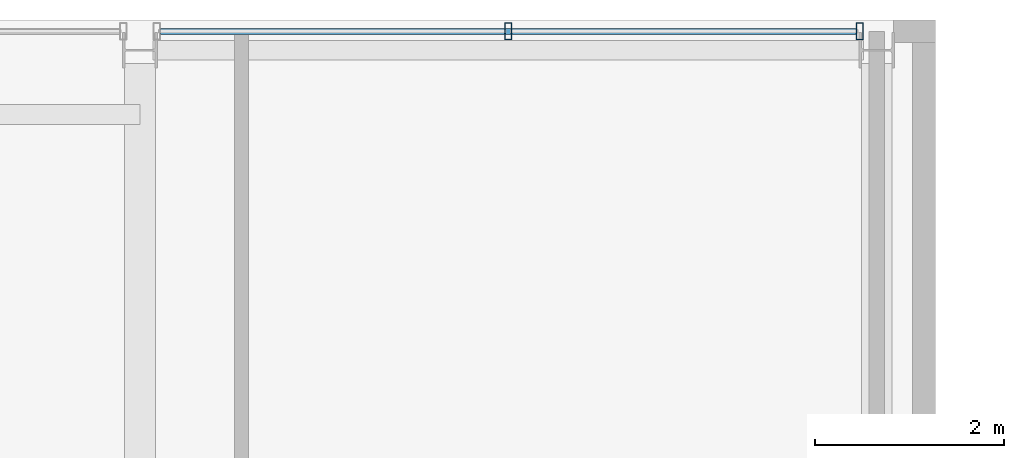
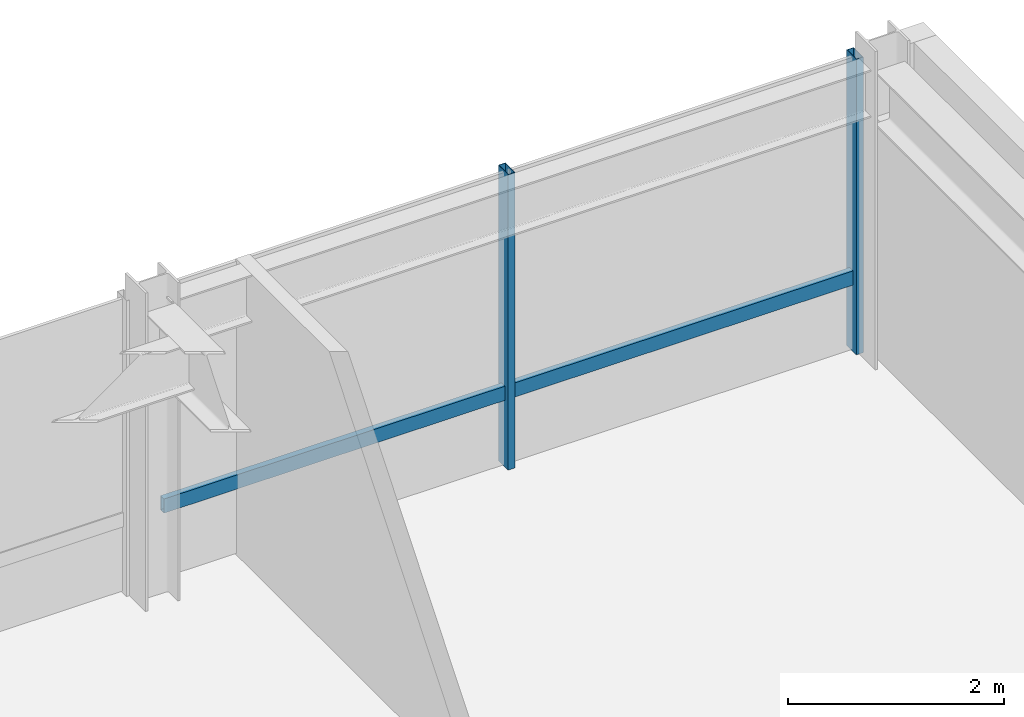
# One storey, part 25 of 33: 3 members, 1 element without a shape of its own.
"""IFC4 building model written with IfcOpenShell, lengths in metres."""

from ifc_helpers import new_model, si_unit, direction, frame, origin, origin_2d, place, context, subcontext, project, spatial, hollow_rectangle, extrude, material, layer, layer_set, material_profile, profile_set, type_object, element, aggregate, save


model = new_model("IFC4")

# Units and contexts
model_context = context("Model", 3, precision=1e-05, world=origin(), true_north=direction((0.0, 1.0)))
body_context = subcontext(model_context, "Body", "Model", "MODEL_VIEW")
ifc_project = project(units=[si_unit("LENGTHUNIT", "METRE"), si_unit("AREAUNIT", "SQUARE_METRE"), si_unit("VOLUMEUNIT", "CUBIC_METRE"), si_unit("PLANEANGLEUNIT", "RADIAN"), si_unit("MASSUNIT", "GRAM", prefix="KILO")], contexts=[model_context])

# Site, building, storey
site_placement = place(None, origin())
site = spatial("IfcSite", under=ifc_project, at=site_placement, CompositionType="ELEMENT")
building_placement = place(site_placement, origin())
building = spatial("IfcBuilding", under=site, at=building_placement, Name="Drelvath Grand Hotel", CompositionType="ELEMENT")
storey_placement = place(building_placement, frame((0.0, 0.0, 248.300048828125)))
storey = spatial("IfcBuildingStorey", under=building, at=storey_placement, Name="L65", CompositionType="ELEMENT", Elevation=248.300048828125)

# Curtain wall, members
ifc_material = material(Name="Platinum-Mist Anodised Aluminium Frame", Category="aluminium")
ifc_layer = layer(ifc_material, 0.199951171875)
ifc_layer_set = layer_set([ifc_layer], Name="Platinum-Mist Anodised Aluminium Frame")
curtain_wall_type = type_object("IfcCurtainWallType", Name="Stick Curtain Wall CW-05 Platinum Mist High-Rise", PredefinedType="NOTDEFINED", material=ifc_layer_set)
curtain_wall_placement = place(storey_placement, origin())
curtain_wall = element("IfcCurtainWall", 1, at=curtain_wall_placement, inside=storey, type_object=curtain_wall_type, Name="L65 CW-05 Curtain Wall CW05-L65-NE2", PredefinedType="NOTDEFINED")
ifc_material_profile_1 = material_profile(ifc_material, hollow_rectangle(XDim=0.06494140625, YDim=0.159912109375, WallThickness=0.00390625, at=origin_2d()), Name="HSS160X65X4")
ifc_profile_set_1 = profile_set([ifc_material_profile_1], Name="Platinum-Mist Anodised Aluminium Frame")
member_type_1 = type_object("IfcMemberType", Name="Curtain Wall Horizontal Transom CW-05 HSS160X65X4", PredefinedType="USERDEFINED", material=ifc_profile_set_1)
member_1_placement = place(storey_placement, frame((8.6181640625, 49.080078125, 0.8349609375), z_axis=(1.0, 0.0, 0.0), x_axis=(0.0, 1.0, 0.0)))
member_1 = element("IfcMember", 2, at=member_1_placement, type_object=member_type_1, Name="CW05-L65-NE2 Sill Transom", ObjectType="TRANSOM", PredefinedType="USERDEFINED", context=body_context, shape_type="SweptSolid", body=[
    extrude(hollow_rectangle(XDim=0.06494140625, YDim=0.159912109375, WallThickness=0.00390625, at=origin_2d()), origin(), (0.0, 0.0, 1.0), 7.363525390625),
])
ifc_material_profile_2 = material_profile(ifc_material, hollow_rectangle(XDim=0.074951171875, YDim=0.179931640625, WallThickness=0.0048828125, at=origin_2d()), Name="HSS180X75X5")
ifc_profile_set_2 = profile_set([ifc_material_profile_2], Name="Platinum-Mist Anodised Aluminium Frame")
member_type_2 = type_object("IfcMemberType", Name="Curtain Wall Vertical Mullion CW-05 HSS180X75X5", PredefinedType="MULLION", material=ifc_profile_set_2)
member_2_placement = place(storey_placement, frame((12.300048828125, 49.080078125, 0.0), z_axis=(0.0, 0.0, 1.0), x_axis=(1.0, 0.0, 0.0)))
member_2 = element("IfcMember", 3, at=member_2_placement, type_object=member_type_2, Name="CW05-L65-NE2 Mullion 2", PredefinedType="MULLION", context=body_context, shape_type="SweptSolid", body=[
    extrude(hollow_rectangle(XDim=0.074951171875, YDim=0.179931640625, WallThickness=0.0048828125, at=origin_2d()), origin(), (0.0, 0.0, 1.0), 3.33984375),
])
member_3_placement = place(storey_placement, frame((16.021728515625, 49.080078125, 0.0), z_axis=(0.0, 0.0, 1.0), x_axis=(1.0, 0.0, 0.0)))
member_3 = element("IfcMember", 4, at=member_3_placement, type_object=member_type_2, Name="CW05-L65-NE2 Mullion 3", PredefinedType="MULLION", context=body_context, shape_type="SweptSolid", body=[
    extrude(hollow_rectangle(XDim=0.074951171875, YDim=0.179931640625, WallThickness=0.0048828125, at=origin_2d()), origin(), (0.0, 0.0, 1.0), 3.33984375),
])
aggregate(curtain_wall, [member_2, member_3, member_1])

save(model, "model.ifc")
